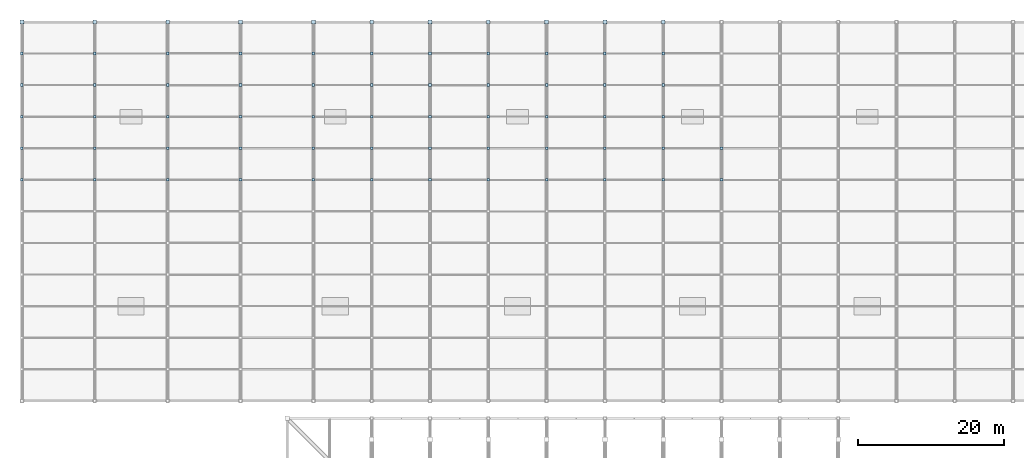
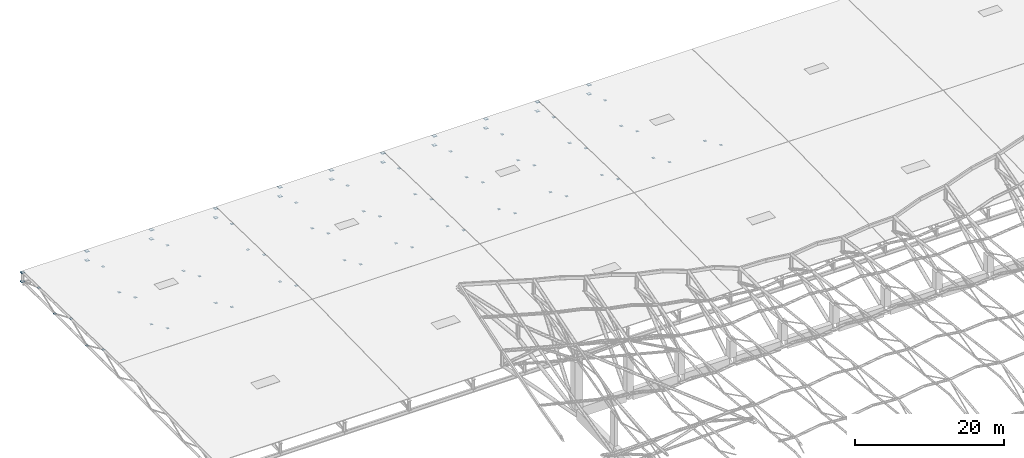
# One storey, part 65 of 75: 79 plates.
"""IFC4 building model written with IfcOpenShell, lengths in metres."""

from ifc_helpers import new_model, si_unit, direction, frame, origin, origin_2d, place, context, subcontext, project, spatial, rectangle, extrude, material, layer, layer_set, type_object, element, save


model = new_model("IFC4")

# Units and contexts
model_context = context("Model", 3, precision=1e-05, world=origin(), true_north=direction((0.0, 1.0)))
body_context = subcontext(model_context, "Body", "Model", "MODEL_VIEW")
ifc_project = project(units=[si_unit("LENGTHUNIT", "METRE"), si_unit("AREAUNIT", "SQUARE_METRE"), si_unit("VOLUMEUNIT", "CUBIC_METRE"), si_unit("PLANEANGLEUNIT", "RADIAN"), si_unit("MASSUNIT", "GRAM", prefix="KILO")], contexts=[model_context])

# Site, building, storey
site_placement = place(None, origin())
site = spatial("IfcSite", under=ifc_project, at=site_placement, CompositionType="ELEMENT")
building_placement = place(site_placement, origin())
building = spatial("IfcBuilding", under=site, at=building_placement, Name="Khorjan Park Terminus", CompositionType="ELEMENT")
storey_placement = place(building_placement, frame((0.0, 0.0, 16.2)))
storey = spatial("IfcBuildingStorey", under=building, at=storey_placement, Name="L03", CompositionType="ELEMENT", Elevation=16.2)

# Plates
ifc_material = material(Name="Steel S355", Category="steel")
ifc_layer_1 = layer(ifc_material, 0.022)
ifc_layer_set_1 = layer_set([ifc_layer_1], Name="Steel S355")
plate_type_1 = type_object("IfcPlateType", Name="PT-GUS-22", PredefinedType="SHEET", material=ifc_layer_set_1)
for number, where, z_axis, x_axis, name in (
    (1, (0.0, 132.3333, -0.6527), (0.0, 0.0, 1.0), (1.0, 0.0, 0.0), "Steel truss node cap plate NP-22 (RC2-GUS-END-0007)"),
    (2, (0.0, 136.6667, -2.611), (0.0, 0.0, 1.0), (1.0, 0.0, 0.0), "Steel truss node cap plate NP-22 (RC2-GUS-END-0008)"),
    (3, (0.0, 141.0, -0.836), (0.0, 0.0, 1.0), (1.0, 0.0, 0.0), "Steel truss node cap plate NP-22 (RC2-GUS-END-0009)"),
    (4, (0.0, 145.3333, -2.611), (0.0, 0.0, 1.0), (1.0, 0.0, 0.0), "Steel truss node cap plate NP-22 (RC2-GUS-END-0010)"),
    (5, (0.0, 149.6667, -1.0193), (0.0, 0.0, 1.0), (1.0, 0.0, 0.0), "Steel truss node cap plate NP-22 (RC2-GUS-END-0011)"),
    (6, (10.0, 132.3333, -0.6527), (0.0, 0.0, 1.0), (1.0, 0.0, 0.0), "Steel truss node cap plate NP-22 (RC2-GUS-END-0018)"),
    (7, (10.0, 136.6667, -2.611), (0.0, 0.0, 1.0), (1.0, 0.0, 0.0), "Steel truss node cap plate NP-22 (RC2-GUS-END-0019)"),
    (8, (10.0, 141.0, -0.836), (0.0, 0.0, 1.0), (1.0, 0.0, 0.0), "Steel truss node cap plate NP-22 (RC2-GUS-END-0020)"),
    (9, (10.0, 145.3333, -2.611), (0.0, 0.0, 1.0), (1.0, 0.0, 0.0), "Steel truss node cap plate NP-22 (RC2-GUS-END-0021)"),
    (10, (10.0, 149.6667, -1.0193), (0.0, 0.0, 1.0), (1.0, 0.0, 0.0), "Steel truss node cap plate NP-22 (RC2-GUS-END-0022)"),
    (11, (20.0, 132.3333, -0.6527), (0.0, 0.0, 1.0), (1.0, 0.0, 0.0), "Steel truss node cap plate NP-22 (RC2-GUS-END-0029)"),
    (12, (20.0, 136.6667, -2.611), (0.0, 0.0, 1.0), (1.0, 0.0, 0.0), "Steel truss node cap plate NP-22 (RC2-GUS-END-0030)"),
    (13, (20.0, 141.0, -0.836), (0.0, 0.0, 1.0), (1.0, 0.0, 0.0), "Steel truss node cap plate NP-22 (RC2-GUS-END-0031)"),
    (14, (20.0, 145.3333, -2.611), (0.0, 0.0, 1.0), (1.0, 0.0, 0.0), "Steel truss node cap plate NP-22 (RC2-GUS-END-0032)"),
    (15, (20.0, 149.6667, -1.0193), (0.0, 0.0, 1.0), (1.0, 0.0, 0.0), "Steel truss node cap plate NP-22 (RC2-GUS-END-0033)"),
    (16, (30.0, 132.3333, -0.6527), (0.0, 0.0, 1.0), (1.0, 0.0, 0.0), "Steel truss node cap plate NP-22 (RC2-GUS-END-0040)"),
    (17, (30.0, 136.6667, -2.611), (0.0, 0.0, 1.0), (1.0, 0.0, 0.0), "Steel truss node cap plate NP-22 (RC2-GUS-END-0041)"),
    (18, (30.0, 141.0, -0.836), (0.0, 0.0, 1.0), (1.0, 0.0, 0.0), "Steel truss node cap plate NP-22 (RC2-GUS-END-0042)"),
    (19, (30.0, 145.3333, -2.611), (0.0, 0.0, 1.0), (1.0, 0.0, 0.0), "Steel truss node cap plate NP-22 (RC2-GUS-END-0043)"),
    (20, (30.0, 149.6667, -1.0193), (0.0, 0.0, 1.0), (1.0, 0.0, 0.0), "Steel truss node cap plate NP-22 (RC2-GUS-END-0044)"),
    (21, (40.0, 132.3333, -0.6527), (0.0, 0.0, 1.0), (1.0, 0.0, 0.0), "Steel truss node cap plate NP-22 (RC2-GUS-END-0051)"),
    (22, (40.0, 136.6667, -2.611), (0.0, 0.0, 1.0), (1.0, 0.0, 0.0), "Steel truss node cap plate NP-22 (RC2-GUS-END-0052)"),
    (23, (40.0, 141.0, -0.836), (0.0, 0.0, 1.0), (1.0, 0.0, 0.0), "Steel truss node cap plate NP-22 (RC2-GUS-END-0053)"),
    (24, (40.0, 145.3333, -2.611), (0.0, 0.0, 1.0), (1.0, 0.0, 0.0), "Steel truss node cap plate NP-22 (RC2-GUS-END-0054)"),
    (25, (40.0, 149.6667, -1.0193), (0.0, 0.0, 1.0), (1.0, 0.0, 0.0), "Steel truss node cap plate NP-22 (RC2-GUS-END-0055)"),
    (26, (48.0, 132.3333, -0.6527), (0.0, 0.0, 1.0), (1.0, 0.0, 0.0), "Steel truss node cap plate NP-22 (RC2-GUS-END-0062)"),
    (27, (48.0, 136.6667, -2.611), (0.0, 0.0, 1.0), (1.0, 0.0, 0.0), "Steel truss node cap plate NP-22 (RC2-GUS-END-0063)"),
    (28, (48.0, 141.0, -0.836), (0.0, 0.0, 1.0), (1.0, 0.0, 0.0), "Steel truss node cap plate NP-22 (RC2-GUS-END-0064)"),
    (29, (48.0, 145.3333, -2.611), (0.0, 0.0, 1.0), (1.0, 0.0, 0.0), "Steel truss node cap plate NP-22 (RC2-GUS-END-0065)"),
    (30, (48.0, 149.6667, -1.0193), (0.0, 0.0, 1.0), (1.0, 0.0, 0.0), "Steel truss node cap plate NP-22 (RC2-GUS-END-0066)"),
    (31, (56.0, 132.3333, -0.6527), (0.0, 0.0, 1.0), (1.0, 0.0, 0.0), "Steel truss node cap plate NP-22 (RC2-GUS-END-0073)"),
    (32, (56.0, 136.6667, -2.611), (0.0, 0.0, 1.0), (1.0, 0.0, 0.0), "Steel truss node cap plate NP-22 (RC2-GUS-END-0074)"),
    (33, (56.0, 141.0, -0.836), (0.0, 0.0, 1.0), (1.0, 0.0, 0.0), "Steel truss node cap plate NP-22 (RC2-GUS-END-0075)"),
    (34, (56.0, 145.3333, -2.611), (0.0, 0.0, 1.0), (1.0, 0.0, 0.0), "Steel truss node cap plate NP-22 (RC2-GUS-END-0076)"),
    (35, (56.0, 149.6667, -1.0193), (0.0, 0.0, 1.0), (1.0, 0.0, 0.0), "Steel truss node cap plate NP-22 (RC2-GUS-END-0077)"),
    (36, (64.0, 132.3333, -0.6527), (0.0, 0.0, 1.0), (1.0, 0.0, 0.0), "Steel truss node cap plate NP-22 (RC2-GUS-END-0084)"),
    (37, (64.0, 136.6667, -2.611), (0.0, 0.0, 1.0), (1.0, 0.0, 0.0), "Steel truss node cap plate NP-22 (RC2-GUS-END-0085)"),
    (38, (64.0, 141.0, -0.836), (0.0, 0.0, 1.0), (1.0, 0.0, 0.0), "Steel truss node cap plate NP-22 (RC2-GUS-END-0086)"),
    (39, (64.0, 145.3333, -2.611), (0.0, 0.0, 1.0), (1.0, 0.0, 0.0), "Steel truss node cap plate NP-22 (RC2-GUS-END-0087)"),
    (40, (64.0, 149.6667, -1.0193), (0.0, 0.0, 1.0), (1.0, 0.0, 0.0), "Steel truss node cap plate NP-22 (RC2-GUS-END-0088)"),
    (41, (72.0, 132.3333, -0.6527), (0.0, 0.0, 1.0), (1.0, 0.0, 0.0), "Steel truss node cap plate NP-22 (RC2-GUS-END-0095)"),
    (42, (72.0, 136.6667, -2.611), (0.0, 0.0, 1.0), (1.0, 0.0, 0.0), "Steel truss node cap plate NP-22 (RC2-GUS-END-0096)"),
    (43, (72.0, 141.0, -0.836), (0.0, 0.0, 1.0), (1.0, 0.0, 0.0), "Steel truss node cap plate NP-22 (RC2-GUS-END-0097)"),
    (44, (72.0, 145.3333, -2.611), (0.0, 0.0, 1.0), (1.0, 0.0, 0.0), "Steel truss node cap plate NP-22 (RC2-GUS-END-0098)"),
    (45, (72.0, 149.6667, -1.0193), (0.0, 0.0, 1.0), (1.0, 0.0, 0.0), "Steel truss node cap plate NP-22 (RC2-GUS-END-0099)"),
    (46, (80.0, 132.3333, -0.6527), (0.0, 0.0, 1.0), (1.0, 0.0, 0.0), "Steel truss node cap plate NP-22 (RC2-GUS-END-0106)"),
    (47, (80.0, 136.6667, -2.611), (0.0, 0.0, 1.0), (1.0, 0.0, 0.0), "Steel truss node cap plate NP-22 (RC2-GUS-END-0107)"),
    (48, (80.0, 141.0, -0.836), (0.0, 0.0, 1.0), (1.0, 0.0, 0.0), "Steel truss node cap plate NP-22 (RC2-GUS-END-0108)"),
    (49, (80.0, 145.3333, -2.611), (0.0, 0.0, 1.0), (1.0, 0.0, 0.0), "Steel truss node cap plate NP-22 (RC2-GUS-END-0109)"),
    (50, (80.0, 149.6667, -1.0193), (0.0, 0.0, 1.0), (1.0, 0.0, 0.0), "Steel truss node cap plate NP-22 (RC2-GUS-END-0110)"),
    (51, (88.0, 132.3333, -0.6527), (0.0, 0.0, 1.0), (1.0, 0.0, 0.0), "Steel truss node cap plate NP-22 (RC2-GUS-END-0117)"),
    (52, (88.0, 136.6667, -2.611), (0.0, 0.0, 1.0), (1.0, 0.0, 0.0), "Steel truss node cap plate NP-22 (RC2-GUS-END-0118)"),
    (53, (88.0, 141.0, -0.836), (0.0, 0.0, 1.0), (1.0, 0.0, 0.0), "Steel truss node cap plate NP-22 (RC2-GUS-END-0119)"),
    (54, (88.0, 145.3333, -2.611), (0.0, 0.0, 1.0), (1.0, 0.0, 0.0), "Steel truss node cap plate NP-22 (RC2-GUS-END-0120)"),
    (55, (88.0, 149.6667, -1.0193), (0.0, 0.0, 1.0), (1.0, 0.0, 0.0), "Steel truss node cap plate NP-22 (RC2-GUS-END-0121)"),
    (56, (96.0, 132.3333, -0.6527), (0.0, 0.0, 1.0), (1.0, 0.0, 0.0), "Steel truss node cap plate NP-22 (RC2-GUS-END-0128)"),
    (57, (96.0, 136.6667, -2.611), (0.0, 0.0, 1.0), (1.0, 0.0, 0.0), "Steel truss node cap plate NP-22 (RC2-GUS-END-0129)"),
):
    element("IfcPlate", number, at=place(storey_placement, frame(where, z_axis=z_axis, x_axis=x_axis)), inside=storey, type_object=plate_type_1, Name=name, PredefinedType="SHEET", context=body_context, shape_type="SweptSolid", body=[
        extrude(rectangle(XDim=0.36, YDim=0.36, at=origin_2d()), origin(), (0.0, 0.0, 1.0), 0.022),
    ])
ifc_layer_2 = layer(ifc_material, 0.025)
ifc_layer_set_2 = layer_set([ifc_layer_2], Name="Steel S355")
plate_type_2 = type_object("IfcPlateType", Name="PT-GUSE-25", PredefinedType="SHEET", material=ifc_layer_set_2)
for number, where, z_axis, x_axis, name in (
    (58, (0.0, 154.0, -2.6125), (0.0, 0.0, 1.0), (1.0, 0.0, 0.0), "Steel truss node cap plate NPE-25 (RC2-NP-V1-T01-NB)"),
    (59, (10.0, 154.0, -2.6125), (0.0, 0.0, 1.0), (1.0, 0.0, 0.0), "Steel truss node cap plate NPE-25 (RC2-NP-V1-T02-NB)"),
    (60, (20.0, 154.0, -2.6125), (0.0, 0.0, 1.0), (1.0, 0.0, 0.0), "Steel truss node cap plate NPE-25 (RC2-NP-V1-T03-NB)"),
    (61, (30.0, 154.0, -2.6125), (0.0, 0.0, 1.0), (1.0, 0.0, 0.0), "Steel truss node cap plate NPE-25 (RC2-NP-V1-T04-NB)"),
    (62, (40.0, 154.0, -2.6125), (0.0, 0.0, 1.0), (1.0, 0.0, 0.0), "Steel truss node cap plate NPE-25 (RC2-NP-V1-T05-NB)"),
    (63, (48.0, 154.0, -2.6125), (0.0, 0.0, 1.0), (1.0, 0.0, 0.0), "Steel truss node cap plate NPE-25 (RC2-NP-V1-T06-NB)"),
    (64, (56.0, 154.0, -2.6125), (0.0, 0.0, 1.0), (1.0, 0.0, 0.0), "Steel truss node cap plate NPE-25 (RC2-NP-V1-T07-NB)"),
    (65, (64.0, 154.0, -2.6125), (0.0, 0.0, 1.0), (1.0, 0.0, 0.0), "Steel truss node cap plate NPE-25 (RC2-NP-V1-T08-NB)"),
    (66, (72.0, 154.0, -2.6125), (0.0, 0.0, 1.0), (1.0, 0.0, 0.0), "Steel truss node cap plate NPE-25 (RC2-NP-V1-T09-NB)"),
    (67, (80.0, 154.0, -2.6125), (0.0, 0.0, 1.0), (1.0, 0.0, 0.0), "Steel truss node cap plate NPE-25 (RC2-NP-V1-T10-NB)"),
    (68, (88.0, 154.0, -2.6125), (0.0, 0.0, 1.0), (1.0, 0.0, 0.0), "Steel truss node cap plate NPE-25 (RC2-NP-V1-T11-NB)"),
):
    element("IfcPlate", number, at=place(storey_placement, frame(where, z_axis=z_axis, x_axis=x_axis)), inside=storey, type_object=plate_type_2, Name=name, PredefinedType="SHEET", context=body_context, shape_type="SweptSolid", body=[
        extrude(rectangle(XDim=0.52, YDim=0.52, at=origin_2d()), origin(), (0.0, 0.0, 1.0), 0.025),
    ])
ifc_layer_3 = layer(ifc_material, 0.03)
ifc_layer_set_3 = layer_set([ifc_layer_3], Name="Steel S355")
plate_type_3 = type_object("IfcPlateType", Name="PT-GUSE-30", PredefinedType="SHEET", material=ifc_layer_set_3)
for number, where, z_axis, x_axis, name in (
    (69, (0.0, 154.0, -1.115), (0.0, 0.0, 1.0), (1.0, 0.0, 0.0), "Steel truss node cap plate NPE-30 (RC2-NP-V1-T01-NT)"),
    (70, (10.0, 154.0, -1.115), (0.0, 0.0, 1.0), (1.0, 0.0, 0.0), "Steel truss node cap plate NPE-30 (RC2-NP-V1-T02-NT)"),
    (71, (20.0, 154.0, -1.115), (0.0, 0.0, 1.0), (1.0, 0.0, 0.0), "Steel truss node cap plate NPE-30 (RC2-NP-V1-T03-NT)"),
    (72, (30.0, 154.0, -1.115), (0.0, 0.0, 1.0), (1.0, 0.0, 0.0), "Steel truss node cap plate NPE-30 (RC2-NP-V1-T04-NT)"),
    (73, (40.0, 154.0, -1.115), (0.0, 0.0, 1.0), (1.0, 0.0, 0.0), "Steel truss node cap plate NPE-30 (RC2-NP-V1-T05-NT)"),
    (74, (48.0, 154.0, -1.115), (0.0, 0.0, 1.0), (1.0, 0.0, 0.0), "Steel truss node cap plate NPE-30 (RC2-NP-V1-T06-NT)"),
    (75, (56.0, 154.0, -1.115), (0.0, 0.0, 1.0), (1.0, 0.0, 0.0), "Steel truss node cap plate NPE-30 (RC2-NP-V1-T07-NT)"),
    (76, (64.0, 154.0, -1.115), (0.0, 0.0, 1.0), (1.0, 0.0, 0.0), "Steel truss node cap plate NPE-30 (RC2-NP-V1-T08-NT)"),
    (77, (72.0, 154.0, -1.115), (0.0, 0.0, 1.0), (1.0, 0.0, 0.0), "Steel truss node cap plate NPE-30 (RC2-NP-V1-T09-NT)"),
    (78, (80.0, 154.0, -1.115), (0.0, 0.0, 1.0), (1.0, 0.0, 0.0), "Steel truss node cap plate NPE-30 (RC2-NP-V1-T10-NT)"),
    (79, (88.0, 154.0, -1.115), (0.0, 0.0, 1.0), (1.0, 0.0, 0.0), "Steel truss node cap plate NPE-30 (RC2-NP-V1-T11-NT)"),
):
    element("IfcPlate", number, at=place(storey_placement, frame(where, z_axis=z_axis, x_axis=x_axis)), inside=storey, type_object=plate_type_3, Name=name, PredefinedType="SHEET", context=body_context, shape_type="SweptSolid", body=[
        extrude(rectangle(XDim=0.52, YDim=0.52, at=origin_2d()), origin(), (0.0, 0.0, 1.0), 0.03),
    ])

save(model, "model.ifc")
